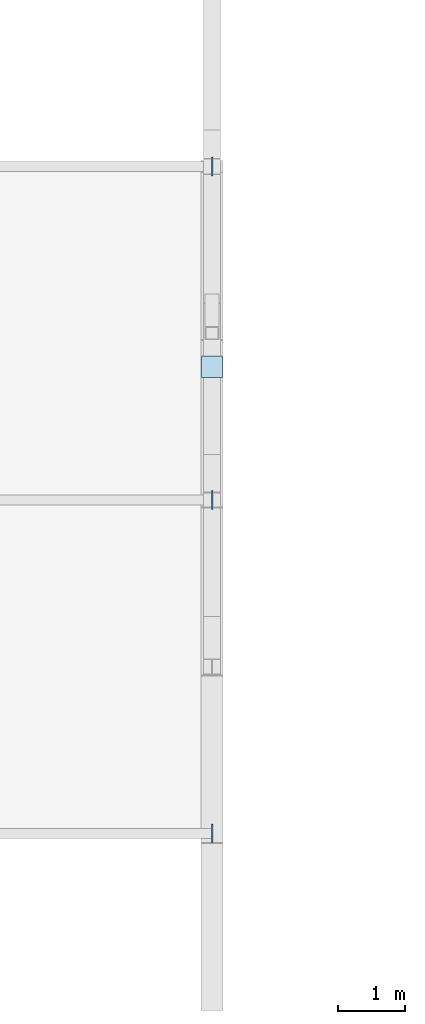
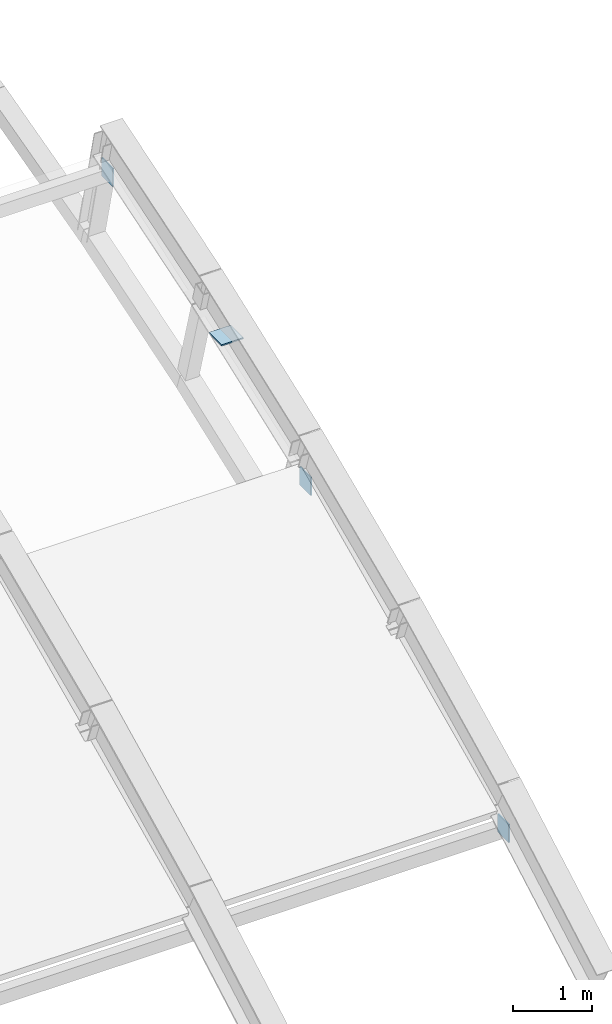
# One storey, part 82 of 103: 4 plates.
"""IFC4 building model written with IfcOpenShell, lengths in metres."""

from ifc_helpers import new_model, si_unit, direction, frame, origin, origin_2d, place, context, subcontext, project, spatial, rectangle, extrude, material, layer, layer_set, type_object, element, save


model = new_model("IFC4")

# Units and contexts
model_context = context("Model", 3, precision=1e-05, world=origin(), true_north=direction((0.0, 1.0)))
body_context = subcontext(model_context, "Body", "Model", "MODEL_VIEW")
ifc_project = project(units=[si_unit("LENGTHUNIT", "METRE"), si_unit("AREAUNIT", "SQUARE_METRE"), si_unit("VOLUMEUNIT", "CUBIC_METRE"), si_unit("PLANEANGLEUNIT", "RADIAN"), si_unit("MASSUNIT", "GRAM", prefix="KILO")], contexts=[model_context])

# Site, building, storey
site_placement = place(None, origin())
site = spatial("IfcSite", under=ifc_project, at=site_placement, CompositionType="ELEMENT")
building_placement = place(site_placement, origin())
building = spatial("IfcBuilding", under=site, at=building_placement, Name="Cazmaro Siding Exhibition Halls", CompositionType="ELEMENT")
storey_placement = place(building_placement, frame((0.0, 0.0, 16.5)))
storey = spatial("IfcBuildingStorey", under=building, at=storey_placement, Name="L03", CompositionType="ELEMENT", Elevation=16.5)

# Plates
ifc_material_1 = material(Name="Steel ASTM A572 Grade 50", Category="steel")
ifc_layer_1 = layer(ifc_material_1, 0.02001953125)
ifc_layer_set_1 = layer_set([ifc_layer_1], Name="Steel ASTM A572 Grade 50")
plate_type_1 = type_object("IfcPlateType", Name="CP-02", PredefinedType="SHEET", material=ifc_layer_set_1)
plate_placement = place(storey_placement, frame((171.0, 76.0, 3.60205078125), z_axis=(0.0, 0.0, 1.0), x_axis=(1.0, 0.0, 0.0)))
element("IfcPlate", 1, at=plate_placement, inside=storey, type_object=plate_type_1, Name="HSS column top end-cap plate CP-02", PredefinedType="SHEET", context=body_context, shape_type="SweptSolid", body=[
    extrude(rectangle(XDim=0.320068359375, YDim=0.320068359375, at=origin_2d()), origin(), (0.0, 0.0, 1.0), 0.02001953125),
])
ifc_material_2 = material(Name="Steel ASTM A572 Grade 50", Category="steel")
ifc_layer_2 = layer(ifc_material_2, 0.02001953125)
ifc_layer_set_2 = layer_set([ifc_layer_2], Name="Steel ASTM A572 Grade 50")
plate_type_2 = type_object("IfcPlateType", Name="CP-12", PredefinedType="SHEET", material=ifc_layer_set_2)
for number, where, z_axis, x_axis, name in (
    (2, (170.994873046875, 69.0, 0.260986328125), (1.0, 0.0, 0.0), (0.0, 1.0, 0.0), "HSS purlin end-cap plate CP-12"),
    (3, (170.994873046875, 74.0, 2.58203125), (1.0, 0.0, 0.0), (0.0, 1.0, 0.0), "HSS purlin end-cap plate CP-12"),
    (4, (170.994873046875, 79.0, 4.31494140625), (1.0, 0.0, 0.0), (0.0, 1.0, 0.0), "HSS purlin end-cap plate CP-12"),
):
    element("IfcPlate", number, at=place(storey_placement, frame(where, z_axis=z_axis, x_axis=x_axis)), inside=storey, type_object=plate_type_2, Name=name, PredefinedType="SHEET", context=body_context, shape_type="SweptSolid", body=[
        extrude(rectangle(XDim=0.280029296875, YDim=0.280029296875, at=origin_2d()), origin(), (0.0, 0.0, 1.0), 0.02001953125),
    ])

save(model, "model.ifc")
